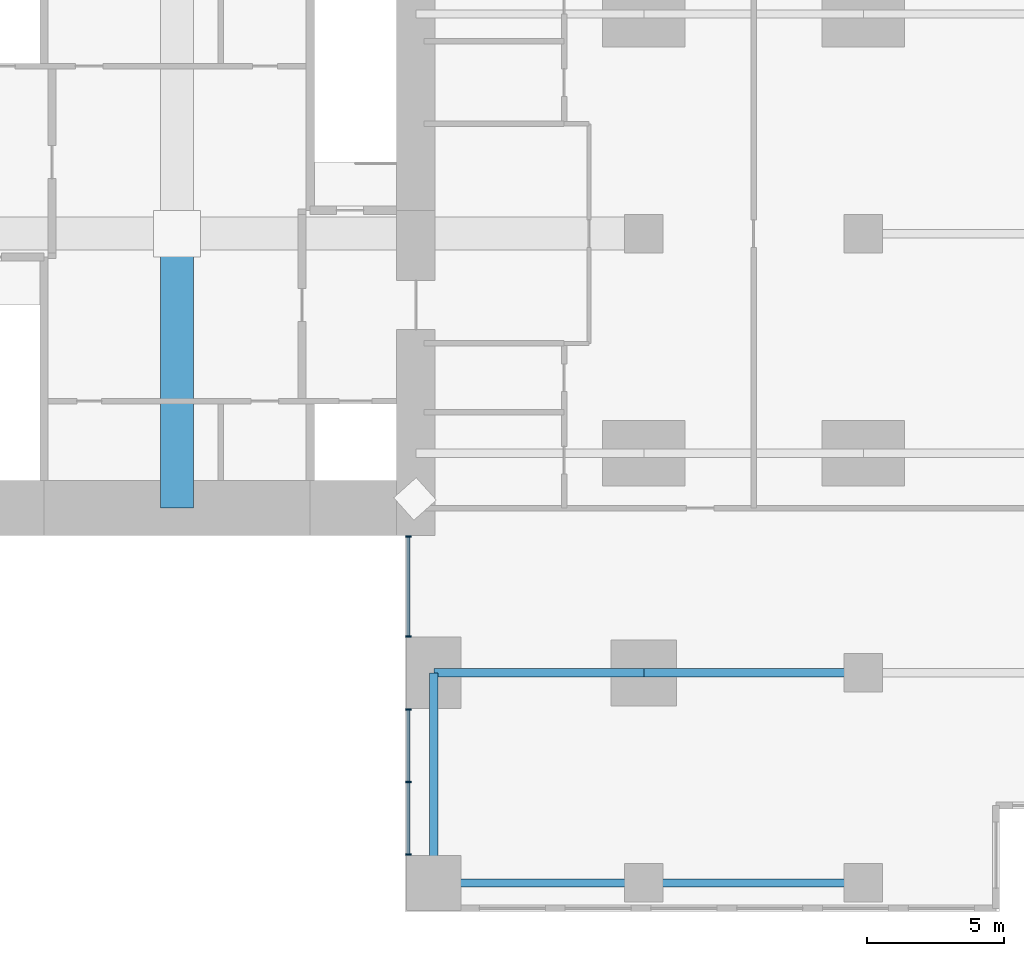
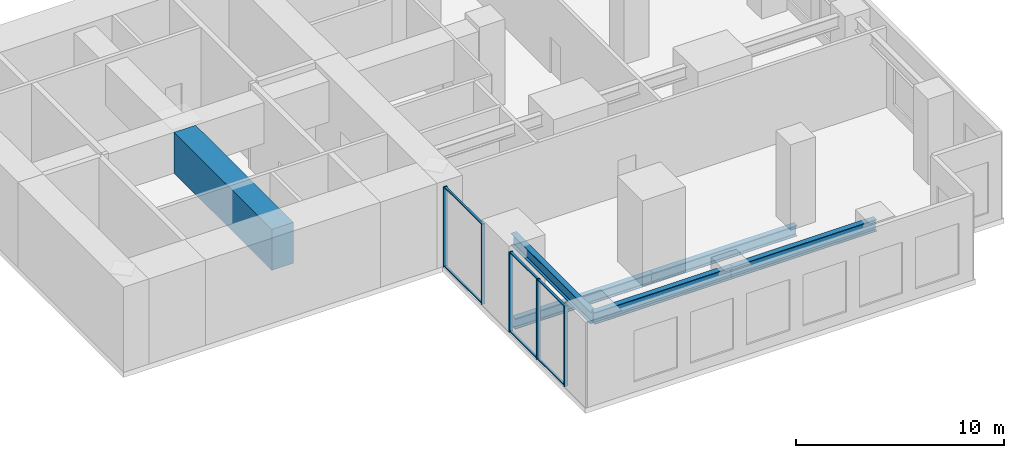
# One storey, part 2 of 7: 11 members, 6 beams, 2 elements without a shape of their own.
"""IFC4 building model written with IfcOpenShell, lengths in metres."""

from ifc_helpers import new_model, si_unit, direction, frame, origin, origin_2d, place, context, subcontext, project, spatial, rectangle, i_section, extrude, material, layer, layer_set, material_profile, profile_set, type_object, element, aggregate, save


model = new_model("IFC4")

# Units and contexts
model_context = context("Model", 3, precision=1e-05, world=origin(), true_north=direction((0.0, 1.0)))
body_context = subcontext(model_context, "Body", "Model", "MODEL_VIEW")
ifc_project = project(units=[si_unit("LENGTHUNIT", "METRE"), si_unit("AREAUNIT", "SQUARE_METRE"), si_unit("VOLUMEUNIT", "CUBIC_METRE"), si_unit("PLANEANGLEUNIT", "RADIAN"), si_unit("MASSUNIT", "GRAM", prefix="KILO")], contexts=[model_context])

# Site, building, storey
site_placement = place(None, origin())
site = spatial("IfcSite", under=ifc_project, at=site_placement, CompositionType="ELEMENT")
building_placement = place(site_placement, origin())
building = spatial("IfcBuilding", under=site, at=building_placement, Name="Cleftline Residences", CompositionType="ELEMENT")
storey_placement = place(building_placement, frame((0.0, 0.0, 296.60009765625)))
storey = spatial("IfcBuildingStorey", under=building, at=storey_placement, Name="L77", CompositionType="ELEMENT", Elevation=296.60009765625)

# Beams
ifc_material_1 = material(Name="Steel S355", Category="steel")
ifc_material_profile_1 = material_profile(ifc_material_1, i_section(OverallWidth=0.300048828125, OverallDepth=0.699951171875, WebThickness=0.01708984375, FlangeThickness=0.031982421875, FilletRadius=0.027099609375, at=origin_2d()))
ifc_profile_set_1 = profile_set([ifc_material_profile_1], Name="Steel S355")
beam_type_1 = type_object("IfcBeamType", Name="BEAM HEB 700", PredefinedType="BEAM", material=ifc_profile_set_1)
beam_1_placement = place(storey_placement, frame((58.0, 0.35009765625, 4.349853515625), z_axis=(-1.0, 0.0, 0.0), x_axis=(0.0, -1.0, 0.0)))
element("IfcBeam", 1, at=beam_1_placement, inside=storey, type_object=beam_type_1, Name="Edge beam", PredefinedType="BEAM", context=body_context, shape_type="SweptSolid", body=[
    extrude(i_section(OverallWidth=0.300048828125, OverallDepth=0.699951171875, WebThickness=0.01708984375, FlangeThickness=0.031982421875, FilletRadius=0.027099609375, at=origin_2d()), origin(), (0.0, 0.0, 1.0), 8.0),
])
for number, where, z_axis, x_axis, name in (
    (2, (50.0, 0.35009765625, 4.349853515625), (-1.0, 0.0, 0.0), (0.0, -1.0, 0.0), "Edge beam"),
    (3, (42.35009765625, 0.35009765625, 4.349853515625), (0.0, 1.0, 0.0), (-1.0, 0.0, 0.0), "Edge beam"),
):
    element("IfcBeam", number, at=place(storey_placement, frame(where, z_axis=z_axis, x_axis=x_axis)), inside=storey, type_object=beam_type_1, Name=name, PredefinedType="BEAM", context=body_context, shape_type="SweptSolid", body=[
        extrude(i_section(OverallWidth=0.300048828125, OverallDepth=0.699951171875, WebThickness=0.01708984375, FlangeThickness=0.031982421875, FilletRadius=0.027099609375, at=origin_2d()), origin(), (0.0, 0.0, 1.0), 7.64990234375),
    ])
ifc_material_2 = material(Name="Steel S355", Category="steel")
ifc_material_profile_2 = material_profile(ifc_material_2, i_section(OverallWidth=0.304931640625, OverallDepth=0.6201171875, WebThickness=0.02099609375, FlangeThickness=0.0400390625, FilletRadius=0.027099609375, at=origin_2d()))
ifc_profile_set_2 = profile_set([ifc_material_profile_2], Name="Steel S355")
beam_type_2 = type_object("IfcBeamType", Name="BEAM HEM 600", PredefinedType="BEAM", material=ifc_profile_set_2)
beam_2_placement = place(storey_placement, frame((42.35009765625, 8.0, -0.610107421875), z_axis=(1.0, 0.0, 0.0), x_axis=(0.0, 1.0, 0.0)))
element("IfcBeam", 4, at=beam_2_placement, inside=storey, type_object=beam_type_2, Name="Plant support beam", PredefinedType="BEAM", context=body_context, shape_type="SweptSolid", body=[
    extrude(i_section(OverallWidth=0.304931640625, OverallDepth=0.6201171875, WebThickness=0.02099609375, FlangeThickness=0.0400390625, FilletRadius=0.027099609375, at=origin_2d()), origin(), (0.0, 0.0, 1.0), 7.64990234375),
])
beam_3_placement = place(storey_placement, frame((50.0, 8.0, -0.610107421875), z_axis=(1.0, 0.0, 0.0), x_axis=(0.0, 1.0, 0.0)))
element("IfcBeam", 5, at=beam_3_placement, inside=storey, type_object=beam_type_2, Name="Plant support beam", PredefinedType="BEAM", context=body_context, shape_type="SweptSolid", body=[
    extrude(i_section(OverallWidth=0.304931640625, OverallDepth=0.6201171875, WebThickness=0.02099609375, FlangeThickness=0.0400390625, FilletRadius=0.027099609375, at=origin_2d()), origin(), (0.0, 0.0, 1.0), 8.0),
])
ifc_material_3 = material(Name="Concrete B45", Category="concrete")
ifc_material_profile_3 = material_profile(ifc_material_3, rectangle(XDim=1.199951171875, YDim=2.39990234375, at=origin_2d()))
ifc_profile_set_3 = profile_set([ifc_material_profile_3], Name="Concrete B45")
beam_type_3 = type_object("IfcBeamType", Name="BEAM RC1200X2400 CROSS", PredefinedType="BEAM", material=ifc_profile_set_3)
beam_4_placement = place(storey_placement, frame((33.0, 14.0, 3.5), z_axis=(0.0, 1.0, 0.0), x_axis=(-1.0, 0.0, 0.0)))
element("IfcBeam", 6, at=beam_4_placement, inside=storey, type_object=beam_type_3, Name="Spire cross beam", PredefinedType="BEAM", context=body_context, shape_type="SweptSolid", body=[
    extrude(rectangle(XDim=1.199951171875, YDim=2.39990234375, at=origin_2d()), origin(), (0.0, 0.0, 1.0), 9.39990234375),
])

# Curtain wall, members
ifc_material_4 = material(Name="Aluminium framed curtain wall", Category="aluminium")
ifc_layer = layer(ifc_material_4, 0.199951171875)
ifc_layer_set = layer_set([ifc_layer], Name="CW1 CLEFT GLAZING")
curtain_wall_type = type_object("IfcCurtainWallType", Name="CW1 CLEFT GLAZING", PredefinedType="NOTDEFINED", material=ifc_layer_set)
curtain_wall_1_placement = place(storey_placement, origin())
curtain_wall_1 = element("IfcCurtainWall", 7, at=curtain_wall_1_placement, inside=storey, type_object=curtain_wall_type, Name="Curtain wall CW1", PredefinedType="NOTDEFINED")
ifc_material_5 = material(Name="Aluminium mullion", Category="aluminium")
ifc_material_profile_4 = material_profile(ifc_material_5, rectangle(XDim=0.199951171875, YDim=0.06005859375, at=origin_2d()))
ifc_profile_set_4 = profile_set([ifc_material_profile_4], Name="Aluminium mullion")
member_type_1 = type_object("IfcMemberType", Name="CW1 MULLION", PredefinedType="MULLION", material=ifc_profile_set_4)
member_1_placement = place(storey_placement, frame((41.425048828125, 12.969970703125, 0.0), z_axis=(0.0, 0.0, 1.0), x_axis=(1.0, 0.0, 0.0)))
member_1 = element("IfcMember", 8, at=member_1_placement, type_object=member_type_1, Name="CW1 mullion 1", PredefinedType="MULLION", context=body_context, shape_type="SweptSolid", body=[
    extrude(rectangle(XDim=0.199951171875, YDim=0.06005859375, at=origin_2d()), origin(), (0.0, 0.0, 1.0), 4.699951171875),
])
member_2_placement = place(storey_placement, frame((41.425048828125, 9.330078125, 0.0), z_axis=(0.0, 0.0, 1.0), x_axis=(1.0, 0.0, 0.0)))
member_2 = element("IfcMember", 9, at=member_2_placement, type_object=member_type_1, Name="CW1 mullion 2", PredefinedType="MULLION", context=body_context, shape_type="SweptSolid", body=[
    extrude(rectangle(XDim=0.199951171875, YDim=0.06005859375, at=origin_2d()), origin(), (0.0, 0.0, 1.0), 4.699951171875),
])

curtain_wall_2_placement = place(storey_placement, origin())
curtain_wall_2 = element("IfcCurtainWall", 10, at=curtain_wall_2_placement, inside=storey, type_object=curtain_wall_type, Name="Curtain wall CW1", PredefinedType="NOTDEFINED")
member_3_placement = place(storey_placement, frame((41.425048828125, 6.669921875, 0.0), z_axis=(0.0, 0.0, 1.0), x_axis=(1.0, 0.0, 0.0)))
member_3 = element("IfcMember", 11, at=member_3_placement, type_object=member_type_1, Name="CW1 mullion 1", PredefinedType="MULLION", context=body_context, shape_type="SweptSolid", body=[
    extrude(rectangle(XDim=0.199951171875, YDim=0.06005859375, at=origin_2d()), origin(), (0.0, 0.0, 1.0), 4.699951171875),
])
member_4_placement = place(storey_placement, frame((41.425048828125, 4.02490234375, 0.0), z_axis=(0.0, 0.0, 1.0), x_axis=(1.0, 0.0, 0.0)))
member_4 = element("IfcMember", 12, at=member_4_placement, type_object=member_type_1, Name="CW1 mullion 2", PredefinedType="MULLION", context=body_context, shape_type="SweptSolid", body=[
    extrude(rectangle(XDim=0.199951171875, YDim=0.06005859375, at=origin_2d()), origin(), (0.0, 0.0, 1.0), 4.699951171875),
])
member_5_placement = place(storey_placement, frame((41.425048828125, 1.3798828125, 0.0), z_axis=(0.0, 0.0, 1.0), x_axis=(1.0, 0.0, 0.0)))
member_5 = element("IfcMember", 13, at=member_5_placement, type_object=member_type_1, Name="CW1 mullion 3", PredefinedType="MULLION", context=body_context, shape_type="SweptSolid", body=[
    extrude(rectangle(XDim=0.199951171875, YDim=0.06005859375, at=origin_2d()), origin(), (0.0, 0.0, 1.0), 4.699951171875),
])

# Member
ifc_material_6 = material(Name="Aluminium transom", Category="aluminium")
ifc_material_profile_5 = material_profile(ifc_material_6, rectangle(XDim=0.1201171875, YDim=0.06005859375, at=origin_2d()))
ifc_profile_set_5 = profile_set([ifc_material_profile_5], Name="Aluminium transom")
member_type_2 = type_object("IfcMemberType", Name="CW1 TRANSOM", PredefinedType="USERDEFINED", material=ifc_profile_set_5)
member_6_placement = place(storey_placement, frame((41.425048828125, 12.93994140625, 0.02978515625), z_axis=(0.0, -1.0, 0.0), x_axis=(1.0, 0.0, 0.0)))
member_6 = element("IfcMember", 14, at=member_6_placement, type_object=member_type_2, Name="CW1 transom 1.1", ObjectType="TRANSOM", PredefinedType="USERDEFINED", context=body_context, shape_type="SweptSolid", body=[
    extrude(rectangle(XDim=0.1201171875, YDim=0.06005859375, at=origin_2d()), origin(), (0.0, 0.0, 1.0), 3.579833984375),
])

member_7_placement = place(storey_placement, frame((41.425048828125, 12.93994140625, 4.669921875), z_axis=(0.0, -1.0, 0.0), x_axis=(1.0, 0.0, 0.0)))
member_7 = element("IfcMember", 15, at=member_7_placement, type_object=member_type_2, Name="CW1 transom 1.2", ObjectType="TRANSOM", PredefinedType="USERDEFINED", context=body_context, shape_type="SweptSolid", body=[
    extrude(rectangle(XDim=0.1201171875, YDim=0.06005859375, at=origin_2d()), origin(), (0.0, 0.0, 1.0), 3.579833984375),
])

aggregate(curtain_wall_1, [member_1, member_2, member_6, member_7])

member_8_placement = place(storey_placement, frame((41.425048828125, 6.639892578125, 0.02978515625), z_axis=(0.0, -1.0, 0.0), x_axis=(1.0, 0.0, 0.0)))
member_8 = element("IfcMember", 16, at=member_8_placement, type_object=member_type_2, Name="CW1 transom 1.1", ObjectType="TRANSOM", PredefinedType="USERDEFINED", context=body_context, shape_type="SweptSolid", body=[
    extrude(rectangle(XDim=0.1201171875, YDim=0.06005859375, at=origin_2d()), origin(), (0.0, 0.0, 1.0), 2.5849609375),
])

member_9_placement = place(storey_placement, frame((41.425048828125, 6.639892578125, 4.669921875), z_axis=(0.0, -1.0, 0.0), x_axis=(1.0, 0.0, 0.0)))
member_9 = element("IfcMember", 17, at=member_9_placement, type_object=member_type_2, Name="CW1 transom 1.2", ObjectType="TRANSOM", PredefinedType="USERDEFINED", context=body_context, shape_type="SweptSolid", body=[
    extrude(rectangle(XDim=0.1201171875, YDim=0.06005859375, at=origin_2d()), origin(), (0.0, 0.0, 1.0), 2.5849609375),
])

member_10_placement = place(storey_placement, frame((41.425048828125, 3.9951171875, 0.02978515625), z_axis=(0.0, -1.0, 0.0), x_axis=(1.0, 0.0, 0.0)))
member_10 = element("IfcMember", 18, at=member_10_placement, type_object=member_type_2, Name="CW1 transom 2.1", ObjectType="TRANSOM", PredefinedType="USERDEFINED", context=body_context, shape_type="SweptSolid", body=[
    extrude(rectangle(XDim=0.1201171875, YDim=0.06005859375, at=origin_2d()), origin(), (0.0, 0.0, 1.0), 2.585205078125),
])

member_11_placement = place(storey_placement, frame((41.425048828125, 3.9951171875, 4.669921875), z_axis=(0.0, -1.0, 0.0), x_axis=(1.0, 0.0, 0.0)))
member_11 = element("IfcMember", 19, at=member_11_placement, type_object=member_type_2, Name="CW1 transom 2.2", ObjectType="TRANSOM", PredefinedType="USERDEFINED", context=body_context, shape_type="SweptSolid", body=[
    extrude(rectangle(XDim=0.1201171875, YDim=0.06005859375, at=origin_2d()), origin(), (0.0, 0.0, 1.0), 2.585205078125),
])

aggregate(curtain_wall_2, [member_3, member_4, member_5, member_8, member_9, member_10, member_11])

save(model, "model.ifc")
